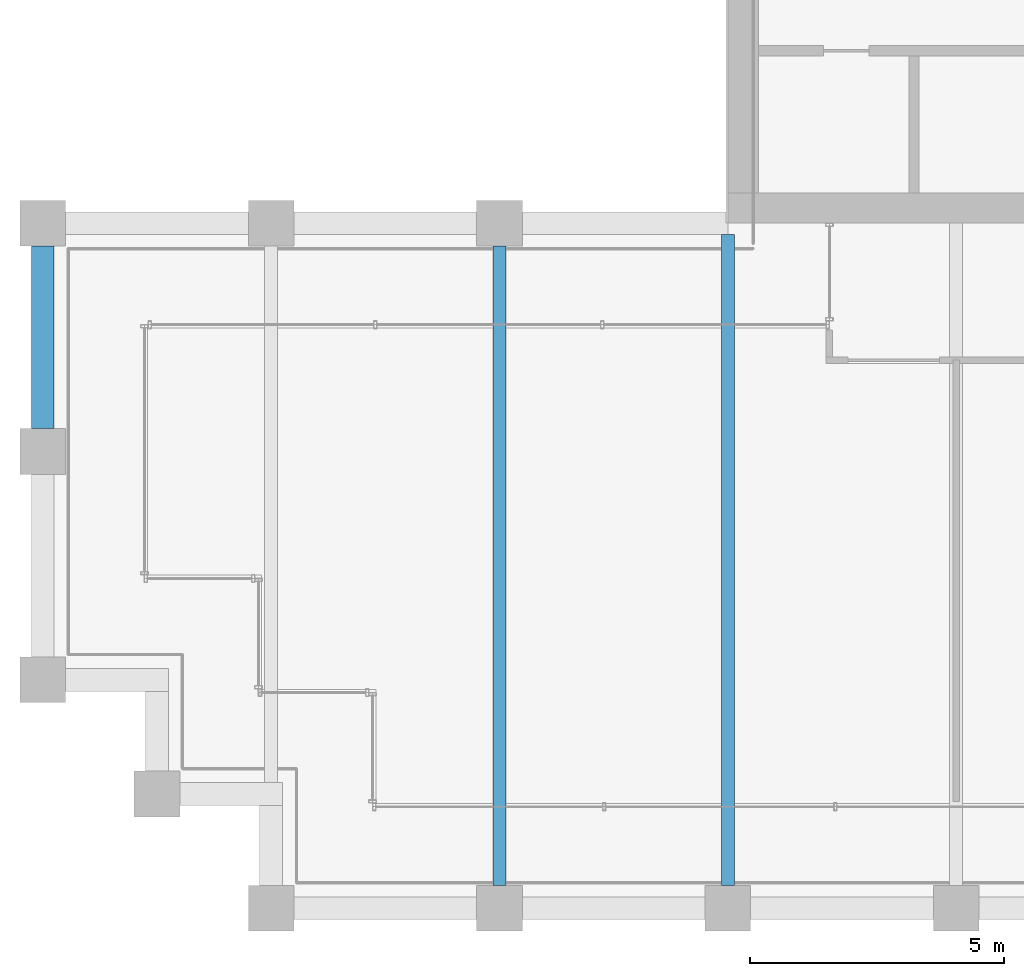
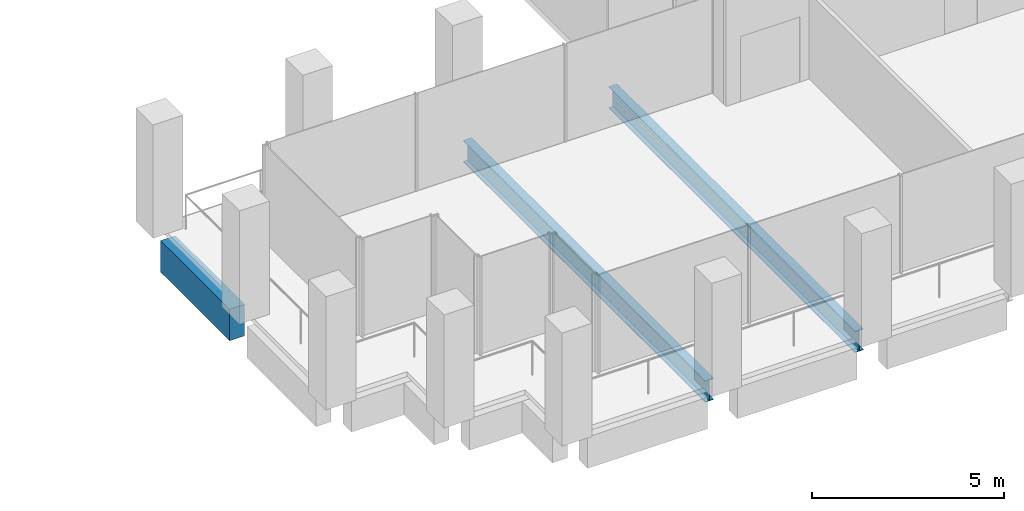
# One storey, part 4 of 40: 3 beams.
"""IFC4 building model written with IfcOpenShell, lengths in metres."""

import ifcopenshell
import ifcopenshell.guid

model = None  # the IFC model being written
_history = None  # IfcOwnerHistory: only IFC2X3 demands one
_inside = {}  # id of a spatial element -> (the spatial element, [elements in it])
_under = {}  # id of a project, library or spatial element -> (it, [spatial elements below it])
_declared = {}  # id of a project -> (the project, [libraries it declares])
_typed = {}  # id of a type object -> (the type object, [elements of that type])
_made_of = {}  # id of a material, layer set ... -> (it, [elements and type objects made of it])


def new_model(schema):
    """Start an empty IFC model of exactly this schema.

    Asked for "IFC4X3", IfcOpenShell would pick the latest addendum, in which some entities
    have other attributes; the version numbers below select the first issue.
    IFC2X3 requires an IfcOwnerHistory on every rooted entity: one is made here for all.
    """
    global model, _history
    if schema == "IFC4X3":
        model = ifcopenshell.file(schema_version=(4, 3, 0, 0))
    else:
        model = ifcopenshell.file(schema=schema)
    _inside.clear()
    _under.clear()
    _declared.clear()
    _typed.clear()
    _made_of.clear()
    _history = None
    if model.schema == "IFC2X3":
        org = make("IfcOrganization", Name="unknown")
        user = make(
            "IfcPersonAndOrganization",
            ThePerson=make("IfcPerson", FamilyName="unknown"),
            TheOrganization=org,
        )
        app = make(
            "IfcApplication",
            ApplicationDeveloper=org,
            Version="unknown",
            ApplicationFullName="unknown",
            ApplicationIdentifier="unknown",
        )
        _history = make(
            "IfcOwnerHistory",
            OwningUser=user,
            OwningApplication=app,
            ChangeAction="ADDED",
            CreationDate=0,
        )
    return model


def make(cls, **values):
    """One entity of the class cls with the attributes given. An attribute that is None is left unset."""
    return model.create_entity(
        cls, **{name: value for name, value in values.items() if value is not None}
    )


def rooted(cls, **values):
    """An entity with a GlobalId (a new one), such as an element, a storey or a relation."""
    return make(cls, GlobalId=ifcopenshell.guid.new(), OwnerHistory=_history, **values)


def si_unit(unit_type, name, prefix=None):
    """IfcSIUnit, for example si_unit("LENGTHUNIT", "METRE", prefix="MILLI")."""
    return make("IfcSIUnit", UnitType=unit_type, Prefix=prefix, Name=name)


def assignment(units):
    """IfcUnitAssignment: the units of a project."""
    return None if units is None else make("IfcUnitAssignment", Units=units)


def point(xyz):
    """IfcCartesianPoint."""
    return None if xyz is None else make("IfcCartesianPoint", Coordinates=xyz)


def direction(xyz):
    """IfcDirection."""
    return None if xyz is None else make("IfcDirection", DirectionRatios=xyz)


def frame(location, z_axis=None, x_axis=None):
    """IfcAxis2Placement3D, a coordinate frame: its origin and axes. An axis left out is left unset."""
    return make(
        "IfcAxis2Placement3D",
        Location=point(location),
        Axis=direction(z_axis),
        RefDirection=direction(x_axis),
    )


def frame_2d(location, x_axis=None):
    """IfcAxis2Placement2D, a coordinate frame in the plane: its origin and x axis."""
    return make(
        "IfcAxis2Placement2D", Location=point(location), RefDirection=direction(x_axis)
    )


def origin():
    """The frame at (0, 0, 0) with its axes left unset."""
    return frame((0.0, 0.0, 0.0))


def origin_2d():
    """The frame at (0, 0) in the plane with its x axis left unset."""
    return frame_2d((0.0, 0.0))


def place(relative_to, where):
    """IfcLocalPlacement: puts the frame where relative to a parent placement (None: the world)."""
    return make(
        "IfcLocalPlacement", PlacementRelTo=relative_to, RelativePlacement=where
    )


def context(
    kind, dimensions, precision=None, world=None, true_north=None, identifier=None
):
    """IfcGeometricRepresentationContext, for example the 3D "Model" context."""
    return make(
        "IfcGeometricRepresentationContext",
        ContextIdentifier=identifier,
        ContextType=kind,
        CoordinateSpaceDimension=dimensions,
        Precision=precision,
        WorldCoordinateSystem=world,
        TrueNorth=true_north,
    )


def subcontext(parent, identifier, kind, view, scale=None):
    """IfcGeometricRepresentationSubContext, for example "Body" below "Model"."""
    return make(
        "IfcGeometricRepresentationSubContext",
        ContextIdentifier=identifier,
        ContextType=kind,
        ParentContext=parent,
        TargetScale=scale,
        TargetView=view,
    )


def project(units=None, contexts=None):
    """IfcProject with its units and contexts."""
    return rooted(
        "IfcProject",
        Name="project",
        RepresentationContexts=contexts,
        UnitsInContext=assignment(units),
    )


def spatial(cls, under=None, at=None, **own):
    """A site, building, storey or space (cls), placed at a placement, below another one or the project."""
    s = rooted(cls, ObjectPlacement=at, **own)
    if under is not None:
        _under.setdefault(under.id(), (under, []))[1].append(s)
    return s


def profile(cls, at=None, kind="AREA", **sizes):
    """A parametric profile (cls). Its sizes go by their IFC names, for example OverallWidth=200.0."""
    return make(cls, ProfileType=kind, Position=at, **sizes)


def rectangle(**sizes):
    """IfcRectangleProfileDef."""
    return profile("IfcRectangleProfileDef", **sizes)


def i_section(**sizes):
    """IfcIShapeProfileDef."""
    return profile("IfcIShapeProfileDef", **sizes)


def extrude(swept, where, along, depth):
    """IfcExtrudedAreaSolid: the profile swept, set in the frame where, extruded along a direction by depth."""
    return make(
        "IfcExtrudedAreaSolid",
        SweptArea=swept,
        Position=where,
        ExtrudedDirection=direction(along),
        Depth=depth,
    )


def shape(context_of_items, identifier, shape_type, items):
    """IfcShapeRepresentation: the items that make up one representation, for example the "Body"."""
    return make(
        "IfcShapeRepresentation",
        ContextOfItems=context_of_items,
        RepresentationIdentifier=identifier,
        RepresentationType=shape_type,
        Items=items,
    )


def material(Name=None, Category=None):
    """IfcMaterial."""
    return make("IfcMaterial", Name=Name, Category=Category)


def material_profile(
    of_material, cross_section, Name=None, Category=None, Priority=None
):
    """IfcMaterialProfile: a cross section and its material."""
    return make(
        "IfcMaterialProfile",
        Name=Name,
        Material=of_material,
        Profile=cross_section,
        Priority=Priority,
        Category=Category,
    )


def profile_set(profiles, Name=None, composite=None):
    """IfcMaterialProfileSet."""
    return make(
        "IfcMaterialProfileSet",
        Name=Name,
        MaterialProfiles=profiles,
        CompositeProfile=composite,
    )


def made_of(thing, what):
    """Note that an element or type object is made of a material, layer set ...; save() writes the relation."""
    if what is not None:
        _made_of.setdefault(what.id(), (what, []))[1].append(thing)
    return thing


def type_object(cls, material=None, **own):
    """A type object (cls), such as IfcWallType, which elements share."""
    return made_of(rooted(cls, **own), material)


def element(
    cls,
    number,
    at=None,
    inside=None,
    cuts=None,
    type_object=None,
    material=None,
    context=None,
    identifier="Body",
    shape_type=None,
    held_by="IfcProductDefinitionShape",
    body=None,
    shapes=None,
    **own,
):
    """One element of the class cls, such as IfcWall. Its Tag is "e" and its number.

    at: its placement. inside: the storey or other place that contains it. cuts: it is an
    opening in that element (IfcRelVoidsElement). A single representation is given by context,
    identifier, shape_type and body (its items); several are given by shapes. held_by: the class
    of the entity that holds the representations. save() writes the other relations.
    """
    e = rooted(cls, Tag="e%d" % number, ObjectPlacement=at, **own)
    if body is not None:
        shapes = [shape(context, identifier, shape_type, body)]
    if shapes is not None:
        e.Representation = make(held_by, Representations=shapes)
    if inside is not None:
        _inside.setdefault(inside.id(), (inside, []))[1].append(e)
    if cuts is not None:
        rooted(
            "IfcRelVoidsElement", RelatingBuildingElement=cuts, RelatedOpeningElement=e
        )
    if type_object is not None:
        _typed.setdefault(type_object.id(), (type_object, []))[1].append(e)
    return made_of(e, material)


def aggregate(whole, parts):
    """IfcRelAggregates: a whole, such as a stair, and the parts it consists of."""
    return rooted("IfcRelAggregates", RelatingObject=whole, RelatedObjects=parts)


def save(model, path):
    """Write the relations noted so far, then the file.

    IfcRelAggregates (storeys below a building ...), IfcRelContainedInSpatialStructure (elements
    in a storey), IfcRelDefinesByType, IfcRelAssociatesMaterial and IfcRelDeclares: one each for
    every whole, place, type object, material and project.
    """
    for whole, parts in _under.values():
        aggregate(whole, parts)
    for where, things in _inside.values():
        rooted(
            "IfcRelContainedInSpatialStructure",
            RelatedElements=things,
            RelatingStructure=where,
        )
    for kind, things in _typed.values():
        rooted("IfcRelDefinesByType", RelatedObjects=things, RelatingType=kind)
    for what, things in _made_of.values():
        rooted("IfcRelAssociatesMaterial", RelatedObjects=things, RelatingMaterial=what)
    for by, libraries in _declared.values():
        rooted("IfcRelDeclares", RelatingContext=by, RelatedDefinitions=libraries)
    model.write(path)


model = new_model("IFC4")

# Units and contexts
model_context = context("Model", 3, precision=1e-05, world=origin(), true_north=direction((0.0, 1.0)))
body_context = subcontext(model_context, "Body", "Model", "MODEL_VIEW")
ifc_project = project(units=[si_unit("LENGTHUNIT", "METRE"), si_unit("AREAUNIT", "SQUARE_METRE"), si_unit("VOLUMEUNIT", "CUBIC_METRE"), si_unit("PLANEANGLEUNIT", "RADIAN"), si_unit("MASSUNIT", "GRAM", prefix="KILO")], contexts=[model_context])

# Site, building, storey
site_placement = place(None, origin())
site = spatial("IfcSite", under=ifc_project, at=site_placement, CompositionType="ELEMENT")
building_placement = place(site_placement, origin())
building = spatial("IfcBuilding", under=site, at=building_placement, Name="Altepetl Exchange Towers", CompositionType="ELEMENT")
storey_placement = place(building_placement, frame((0.0, 0.0, 172.60009765625)))
storey = spatial("IfcBuildingStorey", under=building, at=storey_placement, Name="L43", CompositionType="ELEMENT", Elevation=172.60009765625)

# Beams
ifc_material_1 = material(Name="Steel S355", Category="steel")
ifc_material_profile_1 = material_profile(ifc_material_1, i_section(OverallWidth=0.25390625, OverallDepth=0.68408203125, WebThickness=0.012451171875, FlangeThickness=0.018798828125, at=origin_2d()), Name="W27X94")
ifc_profile_set_1 = profile_set([ifc_material_profile_1], Name="Steel S355")
beam_type_1 = type_object("IfcBeamType", Name="Floor beam W27X94", PredefinedType="BEAM", material=ifc_profile_set_1)
beam_1_placement = place(storey_placement, frame((36.0, 27.449951171875, -0.4921875), z_axis=(0.0, 1.0, 0.0), x_axis=(-1.0, 0.0, 0.0)))
element("IfcBeam", 1, at=beam_1_placement, inside=storey, type_object=beam_type_1, Name="bm:A:L43:013", PredefinedType="BEAM", context=body_context, shape_type="SweptSolid", body=[
    extrude(i_section(OverallWidth=0.25390625, OverallDepth=0.68408203125, WebThickness=0.012451171875, FlangeThickness=0.018798828125, at=origin_2d()), origin(), (0.0, 0.0, 1.0), 12.60009765625),
])
beam_2_placement = place(storey_placement, frame((40.5, 27.449951171875, -0.4921875), z_axis=(0.0, 1.0, 0.0), x_axis=(-1.0, 0.0, 0.0)))
element("IfcBeam", 2, at=beam_2_placement, inside=storey, type_object=beam_type_1, Name="bm:A:L43:014", PredefinedType="BEAM", context=body_context, shape_type="SweptSolid", body=[
    extrude(i_section(OverallWidth=0.25390625, OverallDepth=0.68408203125, WebThickness=0.012451171875, FlangeThickness=0.018798828125, at=origin_2d()), origin(), (0.0, 0.0, 1.0), 12.824951171875),
])
ifc_material_2 = material(Name="Concrete C50/60 precast with cantera blanca facing", Category="concrete")
ifc_material_profile_2 = material_profile(ifc_material_2, rectangle(XDim=0.449951171875, YDim=1.0, at=origin_2d()), Name="450 x 1000")
ifc_profile_set_2 = profile_set([ifc_material_profile_2], Name="Concrete C50/60 precast with cantera blanca facing")
beam_type_2 = type_object("IfcBeamType", Name="Spandrel beam 450x1000 cantera blanca", PredefinedType="SPANDREL", material=ifc_profile_set_2)
beam_3_placement = place(storey_placement, frame((27.0, 40.050048828125, -0.650146484375), z_axis=(0.0, -1.0, 0.0), x_axis=(1.0, 0.0, 0.0)))
element("IfcBeam", 3, at=beam_3_placement, inside=storey, type_object=beam_type_2, Name="sp:A:L43:036", PredefinedType="SPANDREL", context=body_context, shape_type="SweptSolid", body=[
    extrude(rectangle(XDim=0.449951171875, YDim=1.0, at=origin_2d()), origin(), (0.0, 0.0, 1.0), 3.60009765625),
])

save(model, "model.ifc")
